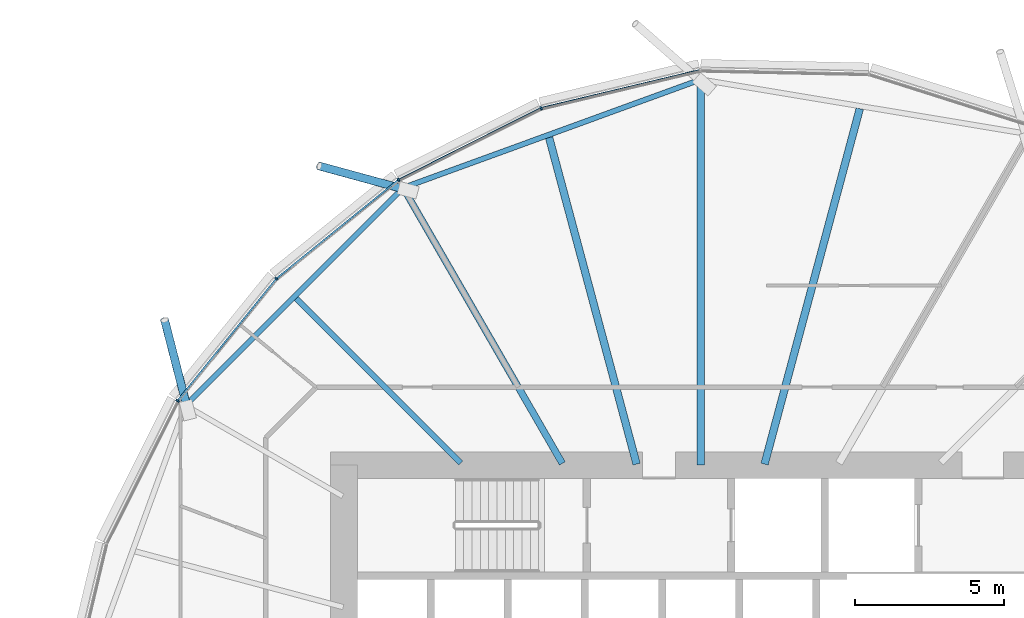
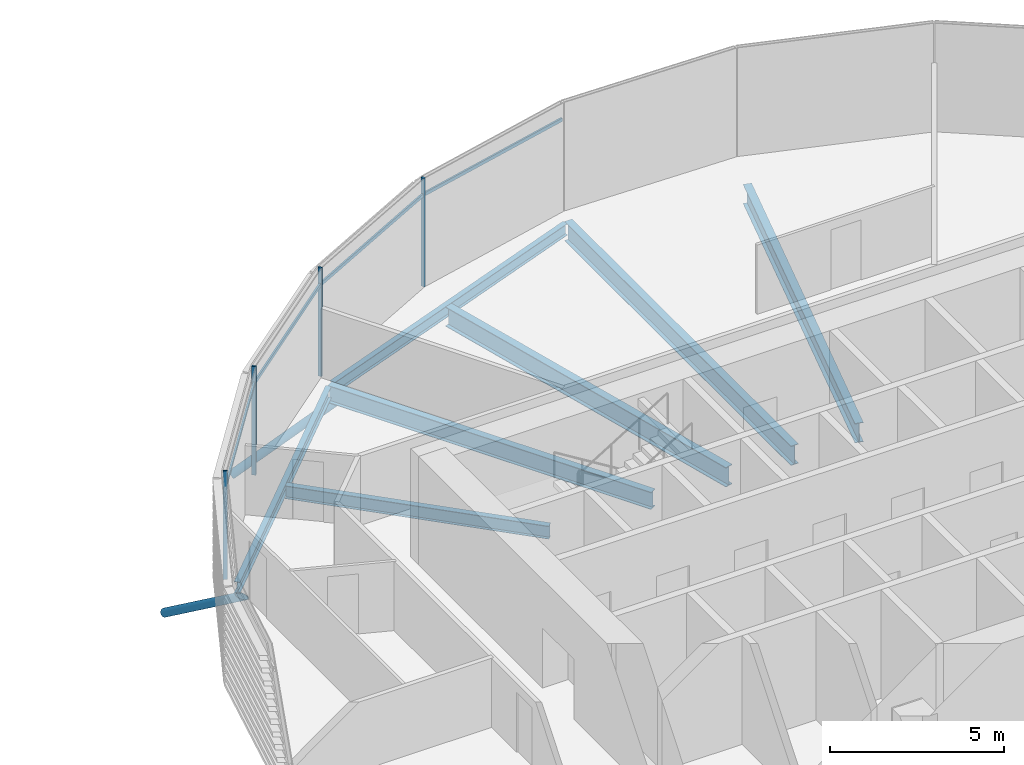
# One storey, part 17 of 38: 10 members, 7 beams, 1 element without a shape of its own.
"""IFC4 building model written with IfcOpenShell, lengths in metres."""

from ifc_helpers import new_model, si_unit, direction, frame, origin, origin_2d, place, context, subcontext, project, spatial, rectangle, hollow_circle, i_section, extrude, clip, halfspace, material, material_profile, profile_set, type_object, element, aggregate, save


model = new_model("IFC4")

# Units and contexts
model_context = context("Model", 3, precision=1e-05, world=origin(), true_north=direction((0.0, 1.0)))
body_context = subcontext(model_context, "Body", "Model", "MODEL_VIEW")
ifc_project = project(units=[si_unit("LENGTHUNIT", "METRE"), si_unit("AREAUNIT", "SQUARE_METRE"), si_unit("VOLUMEUNIT", "CUBIC_METRE"), si_unit("PLANEANGLEUNIT", "RADIAN"), si_unit("MASSUNIT", "GRAM", prefix="KILO")], contexts=[model_context])

# Site, building, storey
site_placement = place(None, origin())
site = spatial("IfcSite", under=ifc_project, at=site_placement, CompositionType="ELEMENT")
building_placement = place(site_placement, origin())
building = spatial("IfcBuilding", under=site, at=building_placement, Name="Rimbun Link Towers", CompositionType="ELEMENT")
storey_placement = place(building_placement, frame((0.0, 0.0, 49.0)))
storey = spatial("IfcBuildingStorey", under=building, at=storey_placement, Name="L11", CompositionType="ELEMENT", Elevation=49.0)

# Curtain wall, members
ifc_material_1 = material(Name="Aluminium 6063-T6 and low-iron glass", Category="aluminium")
curtain_wall_type = type_object("IfcCurtainWallType", Name="CW1 unitised vision wall", PredefinedType="NOTDEFINED", material=ifc_material_1)
curtain_wall_placement = place(storey_placement, origin())
curtain_wall = element("IfcCurtainWall", 1, at=curtain_wall_placement, inside=storey, type_object=curtain_wall_type, Name="CW1 L11 T2", PredefinedType="NOTDEFINED")
ifc_material_2 = material(Name="Aluminium 6063-T6", Category="aluminium")
ifc_material_profile_1 = material_profile(ifc_material_2, rectangle(XDim=0.1201171875, YDim=0.06005859375, at=origin_2d()), Name="MULLION 60X120")
ifc_profile_set_1 = profile_set([ifc_material_profile_1], Name="Aluminium 6063-T6")
member_type_1 = type_object("IfcMemberType", Name="CW1 mullion 60X120", PredefinedType="MULLION", material=ifc_profile_set_1)
member_1_placement = place(storey_placement, frame((26.383056640625, 20.009521484375, 0.0), z_axis=(0.0, 0.0, 1.0), x_axis=(-0.342965819961, 0.939347883555, 0.0)))
member_1 = element("IfcMember", 2, at=member_1_placement, type_object=member_type_1, Name="CW1 mullion", PredefinedType="MULLION", context=body_context, shape_type="SweptSolid", body=[
    extrude(rectangle(XDim=0.1201171875, YDim=0.06005859375, at=origin_2d()), origin(), (0.0, 0.0, 1.0), 3.800048828125),
])
member_2_placement = place(storey_placement, frame((21.5849609375, 17.60009765625, 0.0), z_axis=(0.0, 0.0, 1.0), x_axis=(-0.542092121832, 0.840319065265, 0.0)))
member_2 = element("IfcMember", 3, at=member_2_placement, type_object=member_type_1, Name="CW1 mullion", PredefinedType="MULLION", context=body_context, shape_type="SweptSolid", body=[
    extrude(rectangle(XDim=0.1201171875, YDim=0.06005859375, at=origin_2d()), origin(), (0.0, 0.0, 1.0), 3.800048828125),
])
member_3_placement = place(storey_placement, frame((17.475830078125, 14.274169921875, 0.0), z_axis=(0.0, 0.0, 1.0), x_axis=(-0.707106781187, 0.707106781187, 0.0)))
member_3 = element("IfcMember", 4, at=member_3_placement, type_object=member_type_1, Name="CW1 mullion", PredefinedType="MULLION", context=body_context, shape_type="SweptSolid", body=[
    extrude(rectangle(XDim=0.1201171875, YDim=0.06005859375, at=origin_2d()), origin(), (0.0, 0.0, 1.0), 3.800048828125),
])
member_4_placement = place(storey_placement, frame((14.14990234375, 10.1650390625, 0.0), z_axis=(0.0, 0.0, 1.0), x_axis=(-0.840319065265, 0.542092121832, 0.0)))
member_4 = element("IfcMember", 5, at=member_4_placement, type_object=member_type_1, Name="CW1 mullion", PredefinedType="MULLION", context=body_context, shape_type="SweptSolid", body=[
    extrude(rectangle(XDim=0.1201171875, YDim=0.06005859375, at=origin_2d()), origin(), (0.0, 0.0, 1.0), 3.800048828125),
])
ifc_material_3 = material(Name="Aluminium 6063-T6", Category="aluminium")
ifc_material_profile_2 = material_profile(ifc_material_3, rectangle(XDim=0.06005859375, YDim=0.1201171875, at=origin_2d()), Name="TRANSOM 60X120")
ifc_profile_set_2 = profile_set([ifc_material_profile_2], Name="Aluminium 6063-T6")
member_type_2 = type_object("IfcMemberType", Name="CW1 transom 60X120", PredefinedType="USERDEFINED", material=ifc_profile_set_2)
member_5_placement = place(storey_placement, frame((26.419189453125, 20.0166015625, 3.199951171875), z_axis=(0.97257447556, 0.232591679751, 0.0), x_axis=(-0.232591679751, 0.97257447556, 0.0)))
member_5 = element("IfcMember", 6, at=member_5_placement, type_object=member_type_2, Name="CW1 transom", ObjectType="TRANSOM", PredefinedType="USERDEFINED", context=body_context, shape_type="SweptSolid", body=[
    extrude(rectangle(XDim=0.06005859375, YDim=0.1201171875, at=origin_2d()), origin(), (0.0, 0.0, 1.0), 5.437255859375),
])
member_6_placement = place(storey_placement, frame((21.618408203125, 17.614990234375, 3.199951171875), z_axis=(0.89365132721, 0.448761969618, 0.0), x_axis=(-0.448761969618, 0.89365132721, 0.0)))
member_6 = element("IfcMember", 7, at=member_6_placement, type_object=member_type_2, Name="CW1 transom", ObjectType="TRANSOM", PredefinedType="USERDEFINED", context=body_context, shape_type="SweptSolid", body=[
    extrude(rectangle(XDim=0.06005859375, YDim=0.1201171875, at=origin_2d()), origin(), (0.0, 0.0, 1.0), 5.295654296875),
])
member_7_placement = place(storey_placement, frame((17.505126953125, 14.295654296875, 3.199951171875), z_axis=(0.777292847904, 0.629138958099, 0.0), x_axis=(-0.629138958099, 0.777292847904, 0.0)))
member_7 = element("IfcMember", 8, at=member_7_placement, type_object=member_type_2, Name="CW1 transom", ObjectType="TRANSOM", PredefinedType="USERDEFINED", context=body_context, shape_type="SweptSolid", body=[
    extrude(rectangle(XDim=0.06005859375, YDim=0.1201171875, at=origin_2d()), origin(), (0.0, 0.0, 1.0), 5.2138671875),
])
member_8_placement = place(storey_placement, frame((14.174072265625, 10.192138671875, 3.199951171875), z_axis=(0.629138958099, 0.777292847904, 0.0), x_axis=(-0.777292847904, 0.629138958099, 0.0)))
member_8 = element("IfcMember", 9, at=member_8_placement, type_object=member_type_2, Name="CW1 transom", ObjectType="TRANSOM", PredefinedType="USERDEFINED", context=body_context, shape_type="SweptSolid", body=[
    extrude(rectangle(XDim=0.06005859375, YDim=0.1201171875, at=origin_2d()), origin(), (0.0, 0.0, 1.0), 5.2138671875),
])
aggregate(curtain_wall, [member_1, member_2, member_3, member_4, member_5, member_6, member_7, member_8])

# Members
ifc_material_4 = material(Name="Steel S355J2H", Category="steel")
ifc_material_profile_3 = material_profile(ifc_material_4, hollow_circle(Radius=0.136474609375, WallThickness=0.012451171875, at=origin_2d()), Name="CHS 273x12.5")
ifc_profile_set_3 = profile_set([ifc_material_profile_3], Name="Steel S355J2H")
member_type_3 = type_object("IfcMemberType", Name="Floor edge link CHS 273x12.5", PredefinedType="BRACE", material=ifc_profile_set_3)
member_9_placement = place(storey_placement, frame((21.769287109375, 17.287353515625, -0.877197265625), z_axis=(-0.807800568674, 0.220415830059, -0.546694707409), x_axis=(-0.263235881496, -0.964731501866, 0.0)))
element("IfcMember", 10, at=member_9_placement, inside=storey, type_object=member_type_3, Name="Floor edge link T2 L11 05", PredefinedType="BRACE", context=body_context, shape_type="Clipping", body=[
    clip(extrude(hollow_circle(Radius=0.136474609375, WallThickness=0.012451171875, at=origin_2d()), frame((0.0, 0.0, -0.436279296875)), (0.0, 0.0, 1.0), 3.976318359375), halfspace(frame((0.0, 0.0, -0.2060546875), z_axis=(0.0, 0.837332011147, -0.546694707409)), False)),
])
member_10_placement = place(storey_placement, frame((14.462646484375, 9.980712890625, -0.6279296875), z_axis=(-0.205920122991, 0.800137181484, -0.563362577524), x_axis=(-0.968443121257, -0.249234670321, 0.0)))
element("IfcMember", 11, at=member_10_placement, inside=storey, type_object=member_type_3, Name="Floor edge link T2 L11 07", PredefinedType="BRACE", context=body_context, shape_type="Clipping", body=[
    clip(extrude(hollow_circle(Radius=0.136474609375, WallThickness=0.012451171875, at=origin_2d()), frame((0.0, 0.0, -0.418212890625)), (0.0, 0.0, 1.0), 4.05810546875), halfspace(frame((0.0, 0.0, -0.197021484375), z_axis=(0.0, 0.826209783436, -0.563362577524)), False)),
])

# Beams
ifc_material_5 = material(Name="Steel S355J2", Category="steel")
ifc_material_profile_4 = material_profile(ifc_material_5, i_section(OverallWidth=0.177978515625, OverallDepth=0.406494140625, WebThickness=0.0078125, FlangeThickness=0.0126953125, at=origin_2d()), Name="UB 406x178x60")
ifc_profile_set_4 = profile_set([ifc_material_profile_4], Name="Steel S355J2")
beam_type_1 = type_object("IfcBeamType", Name="UB 406x178x60", PredefinedType="BEAM", material=ifc_profile_set_4)
beam_1_placement = place(storey_placement, frame((31.622314453125, 20.92822265625, -0.36328125), z_axis=(-0.939626011614, -0.342203095103, 0.0), x_axis=(0.342203095103, -0.939626011614, 0.0)))
element("IfcBeam", 12, at=beam_1_placement, inside=storey, type_object=beam_type_1, Name="Edge beam T2 L11 03-05", PredefinedType="BEAM", context=body_context, shape_type="SweptSolid", body=[
    extrude(i_section(OverallWidth=0.177978515625, OverallDepth=0.406494140625, WebThickness=0.0078125, FlangeThickness=0.0126953125, at=origin_2d()), origin(), (0.0, 0.0, 1.0), 10.396240234375),
])
beam_2_placement = place(storey_placement, frame((21.66015625, 17.24658203125, -0.36328125), z_axis=(-0.707106781187, -0.707106781187, 0.0), x_axis=(0.707106781187, -0.707106781187, 0.0)))
element("IfcBeam", 13, at=beam_2_placement, inside=storey, type_object=beam_type_1, Name="Edge beam T2 L11 05-07", PredefinedType="BEAM", context=body_context, shape_type="SweptSolid", body=[
    extrude(i_section(OverallWidth=0.177978515625, OverallDepth=0.406494140625, WebThickness=0.0078125, FlangeThickness=0.0126953125, at=origin_2d()), origin(), (0.0, 0.0, 1.0), 10.150146484375),
])
ifc_material_6 = material(Name="Steel S355J2", Category="steel")
ifc_material_profile_5 = material_profile(ifc_material_6, i_section(OverallWidth=0.18994140625, OverallDepth=0.453369140625, WebThickness=0.008544921875, FlangeThickness=0.0126953125, at=origin_2d()), Name="UB 457x191x67")
ifc_profile_set_5 = profile_set([ifc_material_profile_5], Name="Steel S355J2")
beam_type_2 = type_object("IfcBeamType", Name="UB 457x191x67", PredefinedType="BEAM", material=ifc_profile_set_5)
beam_3_placement = place(storey_placement, frame((23.68212890625, 8.06787109375, -0.38671875), z_axis=(-0.707106781187, 0.707106781187, 0.0), x_axis=(-0.707106781187, -0.707106781187, 0.0)))
element("IfcBeam", 14, at=beam_3_placement, inside=storey, type_object=beam_type_2, Name="Radial beam T2 L11 06", PredefinedType="BEAM", context=body_context, shape_type="SweptSolid", body=[
    extrude(i_section(OverallWidth=0.18994140625, OverallDepth=0.453369140625, WebThickness=0.008544921875, FlangeThickness=0.0126953125, at=origin_2d()), origin(), (0.0, 0.0, 1.0), 7.830078125),
])
ifc_material_7 = material(Name="Steel S355J2", Category="steel")
ifc_material_profile_6 = material_profile(ifc_material_7, i_section(OverallWidth=0.2275390625, OverallDepth=0.6025390625, WebThickness=0.010498046875, FlangeThickness=0.014892578125, at=origin_2d()), Name="UB 610x229x101")
ifc_profile_set_6 = profile_set([ifc_material_profile_6], Name="Steel S355J2")
beam_type_3 = type_object("IfcBeamType", Name="UB 610x229x101", PredefinedType="BEAM", material=ifc_profile_set_6)
beam_4_placement = place(storey_placement, frame((27.097900390625, 8.057861328125, -0.461181640625), z_axis=(-0.500011276819, 0.866018893012, 0.0), x_axis=(-0.866018893012, -0.500011276819, 0.0)))
element("IfcBeam", 15, at=beam_4_placement, inside=storey, type_object=beam_type_3, Name="Radial beam T2 L11 05", PredefinedType="BEAM", context=body_context, shape_type="SweptSolid", body=[
    extrude(i_section(OverallWidth=0.2275390625, OverallDepth=0.6025390625, WebThickness=0.010498046875, FlangeThickness=0.014892578125, at=origin_2d()), origin(), (0.0, 0.0, 1.0), 10.707275390625),
])
ifc_material_8 = material(Name="Steel S355J2", Category="steel")
ifc_material_profile_7 = material_profile(ifc_material_8, i_section(OverallWidth=0.253662109375, OverallDepth=0.68359375, WebThickness=0.012451171875, FlangeThickness=0.01904296875, at=origin_2d()), Name="UB 686x254x140")
ifc_profile_set_7 = profile_set([ifc_material_profile_7], Name="Steel S355J2")
beam_type_4 = type_object("IfcBeamType", Name="UB 686x254x140", PredefinedType="BEAM", material=ifc_profile_set_7)
beam_5_placement = place(storey_placement, frame((33.902587890625, 8.03369140625, -0.501708984375), z_axis=(0.258811328471, 0.965927893921, 0.0), x_axis=(-0.965927893921, 0.258811328471, 0.0)))
element("IfcBeam", 16, at=beam_5_placement, inside=storey, type_object=beam_type_4, Name="Radial beam T2 L11 02", PredefinedType="BEAM", context=body_context, shape_type="SweptSolid", body=[
    extrude(i_section(OverallWidth=0.253662109375, OverallDepth=0.68359375, WebThickness=0.012451171875, FlangeThickness=0.01904296875, at=origin_2d()), origin(), (0.0, 0.0, 1.0), 12.380126953125),
])
beam_6_placement = place(storey_placement, frame((31.75, 8.0009765625, -0.501708984375), z_axis=(0.0, 1.0, 0.0), x_axis=(-1.0, 0.0, 0.0)))
element("IfcBeam", 17, at=beam_6_placement, inside=storey, type_object=beam_type_4, Name="Radial beam T2 L11 03", PredefinedType="BEAM", context=body_context, shape_type="SweptSolid", body=[
    extrude(i_section(OverallWidth=0.253662109375, OverallDepth=0.68359375, WebThickness=0.012451171875, FlangeThickness=0.01904296875, at=origin_2d()), origin(), (0.0, 0.0, 1.0), 12.973876953125),
])
beam_7_placement = place(storey_placement, frame((29.597412109375, 8.03369140625, -0.501708984375), z_axis=(-0.25882583061, 0.965924008092, 0.0), x_axis=(-0.965924008092, -0.25882583061, 0.0)))
element("IfcBeam", 18, at=beam_7_placement, inside=storey, type_object=beam_type_4, Name="Radial beam T2 L11 04", PredefinedType="BEAM", context=body_context, shape_type="SweptSolid", body=[
    extrude(i_section(OverallWidth=0.253662109375, OverallDepth=0.68359375, WebThickness=0.012451171875, FlangeThickness=0.01904296875, at=origin_2d()), origin(), (0.0, 0.0, 1.0), 11.376708984375),
])

save(model, "model.ifc")
